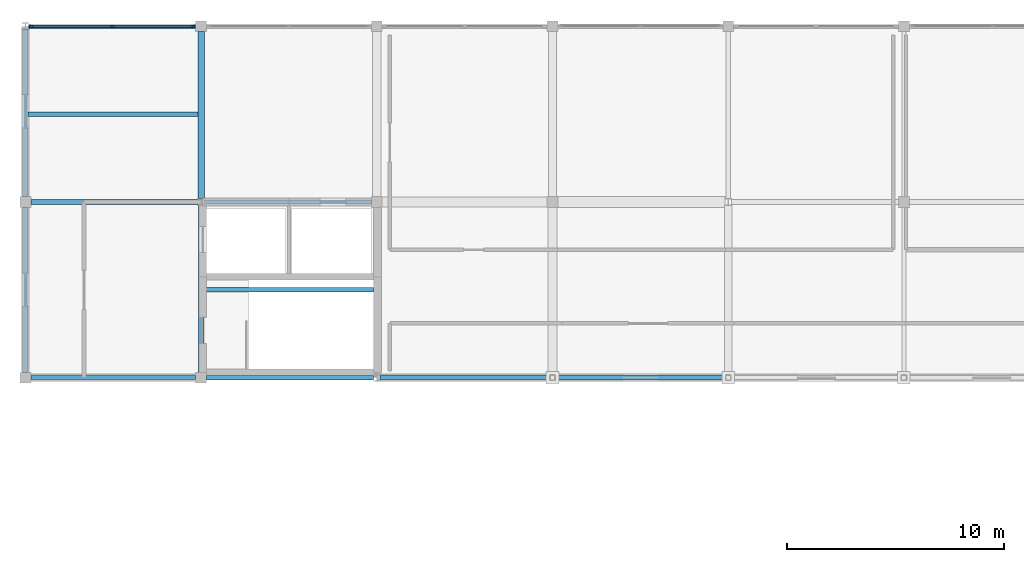
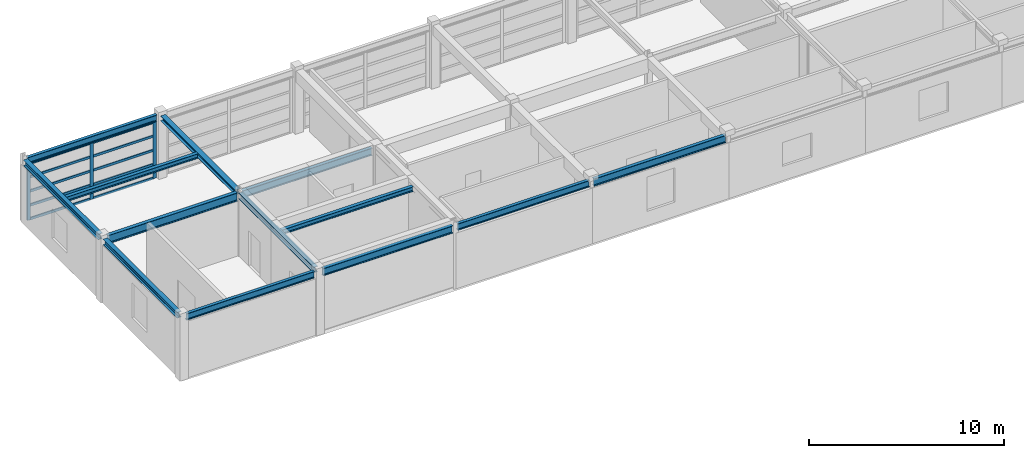
# One storey, part 6 of 19: 13 beams, 13 members, 1 element without a shape of its own.
"""IFC4 building model written with IfcOpenShell, lengths in metres."""

from ifc_helpers import new_model, si_unit, direction, frame, origin, origin_2d, place, context, subcontext, project, spatial, rectangle, i_section, extrude, material, material_profile, profile_set, type_object, element, aggregate, save


model = new_model("IFC4")

# Units and contexts
model_context = context("Model", 3, precision=1e-05, world=origin(), true_north=direction((0.0, 1.0)))
body_context = subcontext(model_context, "Body", "Model", "MODEL_VIEW")
ifc_project = project(units=[si_unit("LENGTHUNIT", "METRE"), si_unit("AREAUNIT", "SQUARE_METRE"), si_unit("VOLUMEUNIT", "CUBIC_METRE"), si_unit("PLANEANGLEUNIT", "RADIAN"), si_unit("MASSUNIT", "GRAM", prefix="KILO")], contexts=[model_context])

# Site, building, storey
site_placement = place(None, origin())
site = spatial("IfcSite", under=ifc_project, at=site_placement, CompositionType="ELEMENT")
building_placement = place(site_placement, origin())
building = spatial("IfcBuilding", under=site, at=building_placement, Name="Parian Resonance Hall", CompositionType="ELEMENT")
storey_placement = place(building_placement, frame((0.0, 0.0, 23.39990234375)))
storey = spatial("IfcBuildingStorey", under=building, at=storey_placement, Name="L05", CompositionType="ELEMENT", Elevation=23.39990234375)

# Beams
ifc_material_1 = material(Name="Steel S355", Category="steel")
ifc_material_profile_1 = material_profile(ifc_material_1, i_section(OverallWidth=0.202880859375, OverallDepth=0.302978515625, WebThickness=0.007568359375, FlangeThickness=0.01318359375, FilletRadius=0.01513671875, at=origin_2d()), Name="W310x60")
ifc_profile_set_1 = profile_set([ifc_material_profile_1], Name="Steel S355")
beam_type_1 = type_object("IfcBeamType", Name="BM-W310x60", PredefinedType="JOIST", material=ifc_profile_set_1)
for number, where, z_axis, x_axis, name in (
    (1, (48.7275390625, 85.050048828125, 3.818603515625), (1.0, 0.0, 0.0), (0.0, 1.0, 0.0), "JS-L05-1103"),
    (2, (56.827392578125, 76.949951171875, 3.818603515625), (1.0, 0.0, 0.0), (0.0, 1.0, 0.0), "JS-L05-1104"),
):
    element("IfcBeam", number, at=place(storey_placement, frame(where, z_axis=z_axis, x_axis=x_axis)), inside=storey, type_object=beam_type_1, Name=name, PredefinedType="JOIST", context=body_context, shape_type="SweptSolid", body=[
        extrude(i_section(OverallWidth=0.202880859375, OverallDepth=0.302978515625, WebThickness=0.007568359375, FlangeThickness=0.01318359375, FilletRadius=0.01513671875, at=origin_2d()), origin(), (0.0, 0.0, 1.0), 7.820068359375),
    ])
ifc_material_2 = material(Name="Steel S355", Category="steel")
ifc_material_profile_2 = material_profile(ifc_material_2, i_section(OverallWidth=0.304931640625, OverallDepth=0.30810546875, WebThickness=0.010009765625, FlangeThickness=0.015380859375, FilletRadius=0.01513671875, at=origin_2d()), Name="W310x97")
ifc_profile_set_2 = profile_set([ifc_material_profile_2], Name="Steel S355")
beam_type_2 = type_object("IfcBeamType", Name="BM-W310x97", PredefinedType="BEAM", material=ifc_profile_set_2)
beam_1_placement = place(storey_placement, frame((56.699951171875, 81.154052734375, 3.816162109375), z_axis=(0.0, 1.0, 0.0), x_axis=(-1.0, 0.0, 0.0)))
element("IfcBeam", 3, at=beam_1_placement, inside=storey, type_object=beam_type_2, Name="GY-L05-1065", PredefinedType="BEAM", context=body_context, shape_type="SweptSolid", body=[
    extrude(i_section(OverallWidth=0.304931640625, OverallDepth=0.30810546875, WebThickness=0.010009765625, FlangeThickness=0.015380859375, FilletRadius=0.01513671875, at=origin_2d()), origin(), (0.0, 0.0, 1.0), 7.696044921875),
])
ifc_material_3 = material(Name="Steel S355", Category="steel")
ifc_material_profile_3 = material_profile(ifc_material_3, i_section(OverallWidth=0.2548828125, OverallDepth=0.35693359375, WebThickness=0.010498046875, FlangeThickness=0.018310546875, FilletRadius=0.01513671875, at=origin_2d()), Name="W360x101")
ifc_profile_set_3 = profile_set([ifc_material_profile_3], Name="Steel S355")
beam_type_3 = type_object("IfcBeamType", Name="BM-W360x101", PredefinedType="SPANDREL", material=ifc_profile_set_3)
beam_2_placement = place(storey_placement, frame((48.60009765625, 73.14990234375, 3.79150390625), z_axis=(0.0, 1.0, 0.0), x_axis=(-1.0, 0.0, 0.0)))
element("IfcBeam", 4, at=beam_2_placement, inside=storey, type_object=beam_type_3, Name="GY-L05-1062", PredefinedType="SPANDREL", context=body_context, shape_type="SweptSolid", body=[
    extrude(i_section(OverallWidth=0.2548828125, OverallDepth=0.35693359375, WebThickness=0.010498046875, FlangeThickness=0.018310546875, FilletRadius=0.01513671875, at=origin_2d()), origin(), (0.0, 0.0, 1.0), 7.60009765625),
])
for number, where, z_axis, x_axis, name in (
    (5, (48.60009765625, 81.25, 3.79150390625), (0.0, 1.0, 0.0), (-1.0, 0.0, 0.0), "GY-L05-1063"),
    (6, (56.699951171875, 73.14990234375, 3.79150390625), (0.0, 1.0, 0.0), (-1.0, 0.0, 0.0), "GY-L05-1064"),
):
    element("IfcBeam", number, at=place(storey_placement, frame(where, z_axis=z_axis, x_axis=x_axis)), inside=storey, type_object=beam_type_3, Name=name, PredefinedType="SPANDREL", context=body_context, shape_type="SweptSolid", body=[
        extrude(i_section(OverallWidth=0.2548828125, OverallDepth=0.35693359375, WebThickness=0.010498046875, FlangeThickness=0.018310546875, FilletRadius=0.01513671875, at=origin_2d()), origin(), (0.0, 0.0, 1.0), 7.696044921875),
    ])
ifc_material_4 = material(Name="Steel S355", Category="steel")
ifc_material_profile_4 = material_profile(ifc_material_4, i_section(OverallWidth=0.180908203125, OverallDepth=0.4169921875, WebThickness=0.010986328125, FlangeThickness=0.018310546875, FilletRadius=0.01513671875, at=origin_2d()), Name="W410x85")
ifc_profile_set_4 = profile_set([ifc_material_profile_4], Name="Steel S355")
beam_type_4 = type_object("IfcBeamType", Name="BM-W410x85", PredefinedType="SPANDREL", material=ifc_profile_set_4)
beam_3_placement = place(storey_placement, frame((48.85009765625, 72.89990234375, 3.76171875), z_axis=(1.0, 0.0, 0.0), x_axis=(0.0, 1.0, 0.0)))
element("IfcBeam", 7, at=beam_3_placement, inside=storey, type_object=beam_type_4, Name="GX-L05-1014", PredefinedType="SPANDREL", context=body_context, shape_type="SweptSolid", body=[
    extrude(i_section(OverallWidth=0.180908203125, OverallDepth=0.4169921875, WebThickness=0.010986328125, FlangeThickness=0.018310546875, FilletRadius=0.01513671875, at=origin_2d()), origin(), (0.0, 0.0, 1.0), 7.599853515625),
])
beam_4_placement = place(storey_placement, frame((48.75244140625, 89.10009765625, 3.76171875), z_axis=(1.0, 0.0, 0.0), x_axis=(0.0, 1.0, 0.0)))
element("IfcBeam", 8, at=beam_4_placement, inside=storey, type_object=beam_type_4, Name="GX-L05-1016", PredefinedType="SPANDREL", context=body_context, shape_type="SweptSolid", body=[
    extrude(i_section(OverallWidth=0.180908203125, OverallDepth=0.4169921875, WebThickness=0.010986328125, FlangeThickness=0.018310546875, FilletRadius=0.01513671875, at=origin_2d()), origin(), (0.0, 0.0, 1.0), 7.697509765625),
])
beam_5_placement = place(storey_placement, frame((64.952392578125, 72.89990234375, 3.76171875), z_axis=(1.0, 0.0, 0.0), x_axis=(0.0, 1.0, 0.0)))
element("IfcBeam", 9, at=beam_5_placement, inside=storey, type_object=beam_type_4, Name="GX-L05-1020", PredefinedType="SPANDREL", context=body_context, shape_type="SweptSolid", body=[
    extrude(i_section(OverallWidth=0.180908203125, OverallDepth=0.4169921875, WebThickness=0.010986328125, FlangeThickness=0.018310546875, FilletRadius=0.01513671875, at=origin_2d()), origin(), (0.0, 0.0, 1.0), 7.822509765625),
])
ifc_material_5 = material(Name="Steel S355", Category="steel")
ifc_material_profile_5 = material_profile(ifc_material_5, i_section(OverallWidth=0.194091796875, OverallDepth=0.468994140625, WebThickness=0.0126953125, FlangeThickness=0.0205078125, FilletRadius=0.01513671875, at=origin_2d()), Name="W460x106")
ifc_profile_set_5 = profile_set([ifc_material_profile_5], Name="Steel S355")
beam_type_5 = type_object("IfcBeamType", Name="BM-W460x106", PredefinedType="SPANDREL", material=ifc_profile_set_5)
beam_6_placement = place(storey_placement, frame((56.949951171875, 72.89990234375, 3.735595703125), z_axis=(1.0, 0.0, 0.0), x_axis=(0.0, 1.0, 0.0)))
element("IfcBeam", 10, at=beam_6_placement, inside=storey, type_object=beam_type_5, Name="GX-L05-1017", PredefinedType="SPANDREL", context=body_context, shape_type="SweptSolid", body=[
    extrude(i_section(OverallWidth=0.194091796875, OverallDepth=0.468994140625, WebThickness=0.0126953125, FlangeThickness=0.0205078125, FilletRadius=0.01513671875, at=origin_2d()), origin(), (0.0, 0.0, 1.0), 7.697509765625),
])
beam_7_placement = place(storey_placement, frame((73.02490234375, 72.89990234375, 3.735595703125), z_axis=(1.0, 0.0, 0.0), x_axis=(0.0, 1.0, 0.0)))
element("IfcBeam", 11, at=beam_7_placement, inside=storey, type_object=beam_type_5, Name="GX-L05-1023", PredefinedType="SPANDREL", context=body_context, shape_type="SweptSolid", body=[
    extrude(i_section(OverallWidth=0.194091796875, OverallDepth=0.468994140625, WebThickness=0.0126953125, FlangeThickness=0.0205078125, FilletRadius=0.01513671875, at=origin_2d()), origin(), (0.0, 0.0, 1.0), 7.85009765625),
])
ifc_material_6 = material(Name="Steel S355", Category="steel")
ifc_material_profile_6 = material_profile(ifc_material_6, i_section(OverallWidth=0.19091796875, OverallDepth=0.4599609375, WebThickness=0.010009765625, FlangeThickness=0.01611328125, FilletRadius=0.01513671875, at=origin_2d()), Name="W460x82")
ifc_profile_set_6 = profile_set([ifc_material_profile_6], Name="Steel S355")
beam_type_6 = type_object("IfcBeamType", Name="BM-W460x82", PredefinedType="BEAM", material=ifc_profile_set_6)
beam_8_placement = place(storey_placement, frame((56.8525390625, 81.0, 3.739990234375), z_axis=(1.0, 0.0, 0.0), x_axis=(0.0, 1.0, 0.0)))
element("IfcBeam", 12, at=beam_8_placement, inside=storey, type_object=beam_type_6, Name="GX-L05-1018", PredefinedType="BEAM", context=body_context, shape_type="SweptSolid", body=[
    extrude(i_section(OverallWidth=0.19091796875, OverallDepth=0.4599609375, WebThickness=0.010009765625, FlangeThickness=0.01611328125, FilletRadius=0.01513671875, at=origin_2d()), origin(), (0.0, 0.0, 1.0), 7.697509765625),
])
ifc_material_7 = material(Name="Steel S355", Category="steel")
ifc_material_profile_7 = material_profile(ifc_material_7, i_section(OverallWidth=0.208984375, OverallDepth=0.532958984375, WebThickness=0.01025390625, FlangeThickness=0.015625, FilletRadius=0.017822265625, at=origin_2d()), Name="W530x92")
ifc_profile_set_7 = profile_set([ifc_material_profile_7], Name="Steel S355")
beam_type_7 = type_object("IfcBeamType", Name="BM-W530x92", PredefinedType="BEAM", material=ifc_profile_set_7)
beam_9_placement = place(storey_placement, frame((48.85009765625, 81.0, 3.70361328125), z_axis=(1.0, 0.0, 0.0), x_axis=(0.0, 1.0, 0.0)))
element("IfcBeam", 13, at=beam_9_placement, inside=storey, type_object=beam_type_7, Name="GX-L05-1015", PredefinedType="BEAM", context=body_context, shape_type="SweptSolid", body=[
    extrude(i_section(OverallWidth=0.208984375, OverallDepth=0.532958984375, WebThickness=0.01025390625, FlangeThickness=0.015625, FilletRadius=0.017822265625, at=origin_2d()), origin(), (0.0, 0.0, 1.0), 7.697509765625),
])

# Curtain wall, members
ifc_material_8 = material(Name="Bronze-anodised aluminium frame", Category="aluminium")
curtain_wall_type = type_object("IfcCurtainWallType", Name="CW-SYS-01", PredefinedType="NOTDEFINED", material=ifc_material_8)
curtain_wall_placement = place(storey_placement, origin())
curtain_wall = element("IfcCurtainWall", 14, at=curtain_wall_placement, inside=storey, type_object=curtain_wall_type, Name="Curtain wall CW-L05-152", PredefinedType="NOTDEFINED")
ifc_material_9 = material(Name="Bronze-anodised aluminium frame", Category="aluminium")
ifc_material_profile_8 = material_profile(ifc_material_9, rectangle(XDim=0.074951171875, YDim=0.199951171875, at=origin_2d()), Name="CWM-75x200")
ifc_profile_set_8 = profile_set([ifc_material_profile_8], Name="Bronze-anodised aluminium frame")
member_type_1 = type_object("IfcMemberType", Name="CWM-75x200", PredefinedType="MULLION", material=ifc_profile_set_8)
member_1_placement = place(storey_placement, frame((48.8701171875, 89.10009765625, -0.0078125), z_axis=(0.0, 0.0, 1.0), x_axis=(0.0, 1.0, 0.0)))
member_1 = element("IfcMember", 15, at=member_1_placement, type_object=member_type_1, Name="CW-01 mullion 1", PredefinedType="MULLION", context=body_context, shape_type="SweptSolid", body=[
    extrude(rectangle(XDim=0.074951171875, YDim=0.199951171875, at=origin_2d()), origin(), (0.0, 0.0, 1.0), 3.56494140625),
])
member_2_placement = place(storey_placement, frame((52.601318359375, 89.10009765625, -0.0078125), z_axis=(0.0, 0.0, 1.0), x_axis=(0.0, 1.0, 0.0)))
member_2 = element("IfcMember", 16, at=member_2_placement, type_object=member_type_1, Name="CW-01 mullion 2", PredefinedType="MULLION", context=body_context, shape_type="SweptSolid", body=[
    extrude(rectangle(XDim=0.074951171875, YDim=0.199951171875, at=origin_2d()), origin(), (0.0, 0.0, 1.0), 3.56494140625),
])
member_3_placement = place(storey_placement, frame((56.33251953125, 89.10009765625, -0.0078125), z_axis=(0.0, 0.0, 1.0), x_axis=(0.0, 1.0, 0.0)))
member_3 = element("IfcMember", 17, at=member_3_placement, type_object=member_type_1, Name="CW-01 mullion 3", PredefinedType="MULLION", context=body_context, shape_type="SweptSolid", body=[
    extrude(rectangle(XDim=0.074951171875, YDim=0.199951171875, at=origin_2d()), origin(), (0.0, 0.0, 1.0), 3.56494140625),
])
ifc_material_10 = material(Name="Bronze-anodised aluminium frame", Category="aluminium")
ifc_material_profile_9 = material_profile(ifc_material_10, rectangle(XDim=0.074951171875, YDim=0.14990234375, at=origin_2d()), Name="CWT-75x150")
ifc_profile_set_9 = profile_set([ifc_material_profile_9], Name="Bronze-anodised aluminium frame")
member_type_2 = type_object("IfcMemberType", Name="CWT-75x150", PredefinedType="USERDEFINED", material=ifc_profile_set_9)
member_4_placement = place(storey_placement, frame((48.907470703125, 89.10009765625, 0.029541015625), z_axis=(1.0, 0.0, 0.0), x_axis=(0.0, 1.0, 0.0)))
member_4 = element("IfcMember", 18, at=member_4_placement, type_object=member_type_2, Name="CW-01 transom 1.1", ObjectType="TRANSOM", PredefinedType="USERDEFINED", context=body_context, shape_type="SweptSolid", body=[
    extrude(rectangle(XDim=0.074951171875, YDim=0.14990234375, at=origin_2d()), origin(), (0.0, 0.0, 1.0), 3.65625),
])
member_5_placement = place(storey_placement, frame((48.907470703125, 89.10009765625, 0.88671875), z_axis=(1.0, 0.0, 0.0), x_axis=(0.0, 1.0, 0.0)))
member_5 = element("IfcMember", 19, at=member_5_placement, type_object=member_type_2, Name="CW-01 transom 1.2", ObjectType="TRANSOM", PredefinedType="USERDEFINED", context=body_context, shape_type="SweptSolid", body=[
    extrude(rectangle(XDim=0.074951171875, YDim=0.14990234375, at=origin_2d()), origin(), (0.0, 0.0, 1.0), 3.65625),
])
member_6_placement = place(storey_placement, frame((48.907470703125, 89.10009765625, 1.773681640625), z_axis=(1.0, 0.0, 0.0), x_axis=(0.0, 1.0, 0.0)))
member_6 = element("IfcMember", 20, at=member_6_placement, type_object=member_type_2, Name="CW-01 transom 1.3", ObjectType="TRANSOM", PredefinedType="USERDEFINED", context=body_context, shape_type="SweptSolid", body=[
    extrude(rectangle(XDim=0.074951171875, YDim=0.14990234375, at=origin_2d()), origin(), (0.0, 0.0, 1.0), 3.65625),
])
member_7_placement = place(storey_placement, frame((48.907470703125, 89.10009765625, 2.660400390625), z_axis=(1.0, 0.0, 0.0), x_axis=(0.0, 1.0, 0.0)))
member_7 = element("IfcMember", 21, at=member_7_placement, type_object=member_type_2, Name="CW-01 transom 1.4", ObjectType="TRANSOM", PredefinedType="USERDEFINED", context=body_context, shape_type="SweptSolid", body=[
    extrude(rectangle(XDim=0.074951171875, YDim=0.14990234375, at=origin_2d()), origin(), (0.0, 0.0, 1.0), 3.65625),
])
member_8_placement = place(storey_placement, frame((48.907470703125, 89.10009765625, 3.51953125), z_axis=(1.0, 0.0, 0.0), x_axis=(0.0, 1.0, 0.0)))
member_8 = element("IfcMember", 22, at=member_8_placement, type_object=member_type_2, Name="CW-01 transom 1.5", ObjectType="TRANSOM", PredefinedType="USERDEFINED", context=body_context, shape_type="SweptSolid", body=[
    extrude(rectangle(XDim=0.074951171875, YDim=0.14990234375, at=origin_2d()), origin(), (0.0, 0.0, 1.0), 3.65625),
])
member_9_placement = place(storey_placement, frame((52.638671875, 89.10009765625, 0.029541015625), z_axis=(1.0, 0.0, 0.0), x_axis=(0.0, 1.0, 0.0)))
member_9 = element("IfcMember", 23, at=member_9_placement, type_object=member_type_2, Name="CW-01 transom 2.1", ObjectType="TRANSOM", PredefinedType="USERDEFINED", context=body_context, shape_type="SweptSolid", body=[
    extrude(rectangle(XDim=0.074951171875, YDim=0.14990234375, at=origin_2d()), origin(), (0.0, 0.0, 1.0), 3.65625),
])
member_10_placement = place(storey_placement, frame((52.638671875, 89.10009765625, 0.88671875), z_axis=(1.0, 0.0, 0.0), x_axis=(0.0, 1.0, 0.0)))
member_10 = element("IfcMember", 24, at=member_10_placement, type_object=member_type_2, Name="CW-01 transom 2.2", ObjectType="TRANSOM", PredefinedType="USERDEFINED", context=body_context, shape_type="SweptSolid", body=[
    extrude(rectangle(XDim=0.074951171875, YDim=0.14990234375, at=origin_2d()), origin(), (0.0, 0.0, 1.0), 3.65625),
])
member_11_placement = place(storey_placement, frame((52.638671875, 89.10009765625, 1.773681640625), z_axis=(1.0, 0.0, 0.0), x_axis=(0.0, 1.0, 0.0)))
member_11 = element("IfcMember", 25, at=member_11_placement, type_object=member_type_2, Name="CW-01 transom 2.3", ObjectType="TRANSOM", PredefinedType="USERDEFINED", context=body_context, shape_type="SweptSolid", body=[
    extrude(rectangle(XDim=0.074951171875, YDim=0.14990234375, at=origin_2d()), origin(), (0.0, 0.0, 1.0), 3.65625),
])
member_12_placement = place(storey_placement, frame((52.638671875, 89.10009765625, 2.660400390625), z_axis=(1.0, 0.0, 0.0), x_axis=(0.0, 1.0, 0.0)))
member_12 = element("IfcMember", 26, at=member_12_placement, type_object=member_type_2, Name="CW-01 transom 2.4", ObjectType="TRANSOM", PredefinedType="USERDEFINED", context=body_context, shape_type="SweptSolid", body=[
    extrude(rectangle(XDim=0.074951171875, YDim=0.14990234375, at=origin_2d()), origin(), (0.0, 0.0, 1.0), 3.65625),
])
member_13_placement = place(storey_placement, frame((52.638671875, 89.10009765625, 3.51953125), z_axis=(1.0, 0.0, 0.0), x_axis=(0.0, 1.0, 0.0)))
member_13 = element("IfcMember", 27, at=member_13_placement, type_object=member_type_2, Name="CW-01 transom 2.5", ObjectType="TRANSOM", PredefinedType="USERDEFINED", context=body_context, shape_type="SweptSolid", body=[
    extrude(rectangle(XDim=0.074951171875, YDim=0.14990234375, at=origin_2d()), origin(), (0.0, 0.0, 1.0), 3.65625),
])
aggregate(curtain_wall, [member_1, member_2, member_3, member_4, member_5, member_6, member_7, member_8, member_9, member_10, member_11, member_12, member_13])

save(model, "model.ifc")
